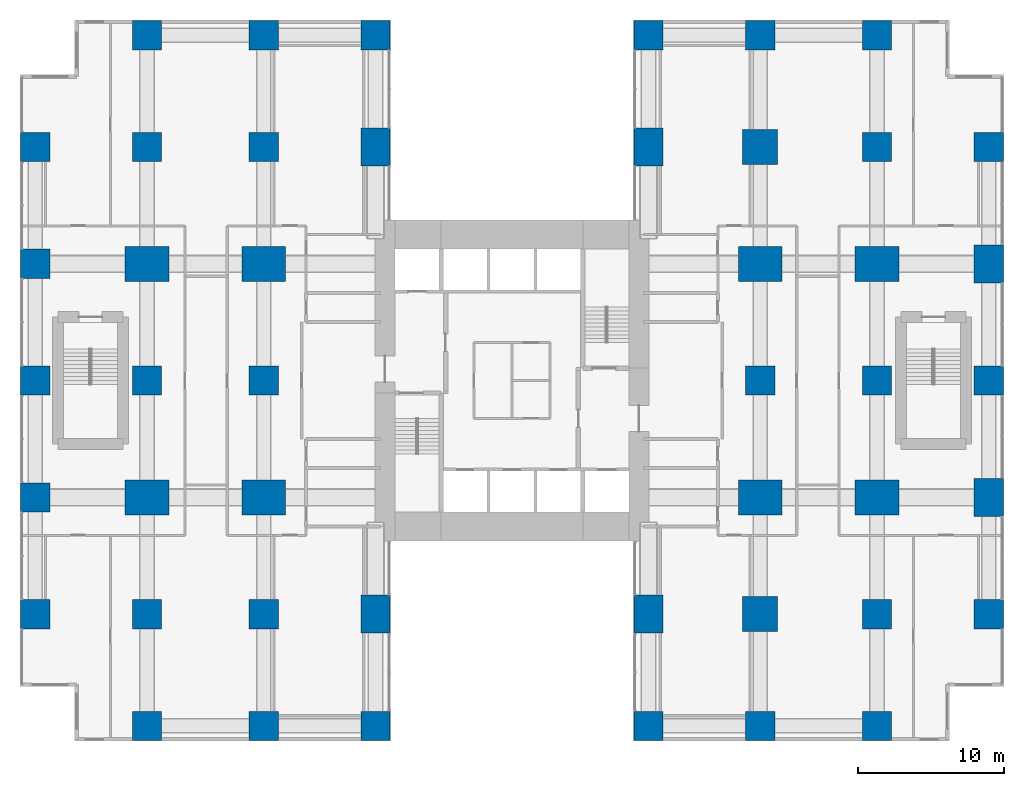
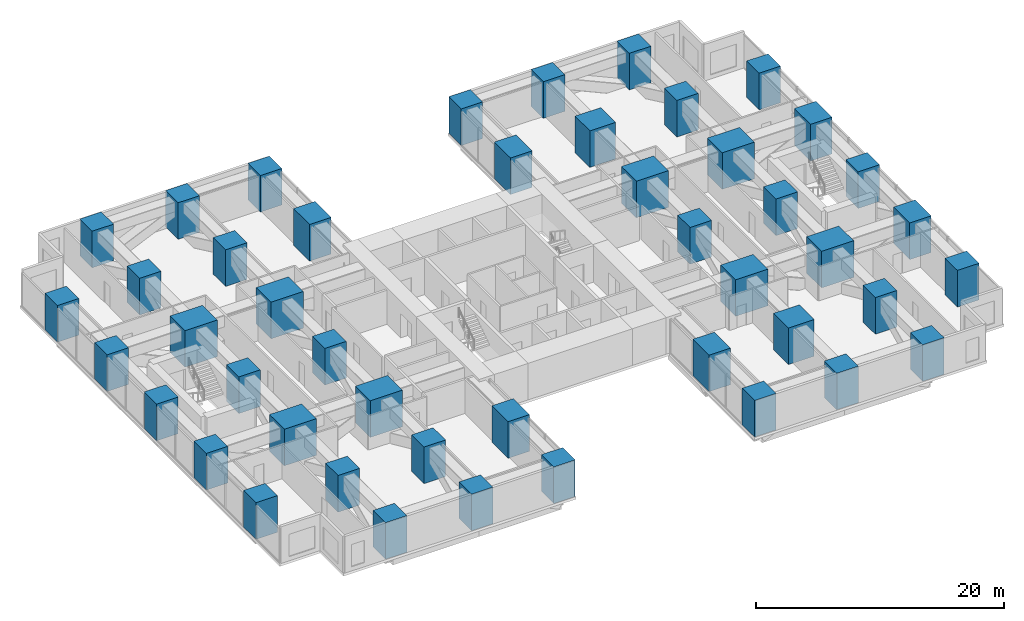
# One storey, part 1 of 15: 46 columns.
"""IFC4 building model written with IfcOpenShell, lengths in metres."""

from ifc_helpers import new_model, si_unit, direction, frame, origin, origin_2d, place, context, subcontext, project, spatial, rectangle, extrude, material, material_profile, profile_set, type_object, element, save


model = new_model("IFC4")

# Units and contexts
model_context = context("Model", 3, precision=1e-05, world=origin(), true_north=direction((0.0, 1.0)))
body_context = subcontext(model_context, "Body", "Model", "MODEL_VIEW")
ifc_project = project(units=[si_unit("LENGTHUNIT", "METRE"), si_unit("AREAUNIT", "SQUARE_METRE"), si_unit("VOLUMEUNIT", "CUBIC_METRE"), si_unit("PLANEANGLEUNIT", "RADIAN"), si_unit("MASSUNIT", "GRAM", prefix="KILO")], contexts=[model_context])

# Site, building, storey
site_placement = place(None, origin())
site = spatial("IfcSite", under=ifc_project, at=site_placement, CompositionType="ELEMENT")
building_placement = place(site_placement, origin())
building = spatial("IfcBuilding", under=site, at=building_placement, Name="Cleftline Residences", CompositionType="ELEMENT")
storey_placement = place(building_placement, frame((0.0, 0.0, 132.199951171875)))
storey = spatial("IfcBuildingStorey", under=building, at=storey_placement, Name="L34", CompositionType="ELEMENT", Elevation=132.199951171875)

# Columns
ifc_material_1 = material(Name="Concrete B70", Category="concrete")
ifc_material_profile_1 = material_profile(ifc_material_1, rectangle(XDim=2.0, YDim=2.0, at=origin_2d()))
ifc_profile_set_1 = profile_set([ifc_material_profile_1], Name="Concrete B70")
column_type_1 = type_object("IfcColumnType", Name="COLUMN RC2000X2000", PredefinedType="COLUMN", material=ifc_profile_set_1)
for number, where, z_axis, x_axis, name in (
    (1, (0.35009765625, 8.0, 0.0), (0.0, 0.0, 1.0), (1.0, 0.0, 0.0), "Column D/3"),
    (2, (0.35009765625, 16.0, 0.0), (0.0, 0.0, 1.0), (1.0, 0.0, 0.0), "Column E/3"),
    (3, (0.35009765625, 24.0, 0.0), (0.0, 0.0, 1.0), (1.0, 0.0, 0.0), "Column F/3"),
    (4, (0.35009765625, 32.0, 0.0), (0.0, 0.0, 1.0), (1.0, 0.0, 0.0), "Column G/3"),
    (5, (0.35009765625, 40.0, 0.0), (0.0, 0.0, 1.0), (1.0, 0.0, 0.0), "Column H/3"),
    (6, (8.0, 0.35009765625, 0.0), (0.0, 0.0, 1.0), (1.0, 0.0, 0.0), "Column C/4"),
    (7, (8.0, 8.0, 0.0), (0.0, 0.0, 1.0), (1.0, 0.0, 0.0), "Column D/4"),
    (8, (8.0, 24.0, 0.0), (0.0, 0.0, 1.0), (1.0, 0.0, 0.0), "Column F/4"),
    (9, (8.0, 40.0, 0.0), (0.0, 0.0, 1.0), (1.0, 0.0, 0.0), "Column H/4"),
    (10, (8.0, 47.64990234375, 0.0), (0.0, 0.0, 1.0), (1.0, 0.0, 0.0), "Column J/4"),
    (11, (16.0, 0.35009765625, 0.0), (0.0, 0.0, 1.0), (1.0, 0.0, 0.0), "Column C/5"),
    (12, (16.0, 8.0, 0.0), (0.0, 0.0, 1.0), (1.0, 0.0, 0.0), "Column D/5"),
    (13, (16.0, 24.0, 0.0), (0.0, 0.0, 1.0), (1.0, 0.0, 0.0), "Column F/5"),
    (14, (16.0, 40.0, 0.0), (0.0, 0.0, 1.0), (1.0, 0.0, 0.0), "Column H/5"),
    (15, (16.0, 47.64990234375, 0.0), (0.0, 0.0, 1.0), (1.0, 0.0, 0.0), "Column J/5"),
    (16, (23.64990234375, 0.35009765625, 0.0), (0.0, 0.0, 1.0), (1.0, 0.0, 0.0), "Column C/6"),
    (17, (23.64990234375, 47.64990234375, 0.0), (0.0, 0.0, 1.0), (1.0, 0.0, 0.0), "Column J/6"),
    (18, (42.35009765625, 0.35009765625, 0.0), (0.0, 0.0, 1.0), (1.0, 0.0, 0.0), "Column C/8"),
    (19, (42.35009765625, 47.64990234375, 0.0), (0.0, 0.0, 1.0), (1.0, 0.0, 0.0), "Column J/8"),
    (20, (50.0, 0.35009765625, 0.0), (0.0, 0.0, 1.0), (1.0, 0.0, 0.0), "Column C/9"),
    (21, (50.0, 24.0, 0.0), (0.0, 0.0, 1.0), (1.0, 0.0, 0.0), "Column F/9"),
    (22, (50.0, 47.64990234375, 0.0), (0.0, 0.0, 1.0), (1.0, 0.0, 0.0), "Column J/9"),
    (23, (58.0, 0.35009765625, 0.0), (0.0, 0.0, 1.0), (1.0, 0.0, 0.0), "Column C/10"),
    (24, (58.0, 8.0, 0.0), (0.0, 0.0, 1.0), (1.0, 0.0, 0.0), "Column D/10"),
    (25, (58.0, 24.0, 0.0), (0.0, 0.0, 1.0), (1.0, 0.0, 0.0), "Column F/10"),
    (26, (58.0, 40.0, 0.0), (0.0, 0.0, 1.0), (1.0, 0.0, 0.0), "Column H/10"),
    (27, (58.0, 47.64990234375, 0.0), (0.0, 0.0, 1.0), (1.0, 0.0, 0.0), "Column J/10"),
    (28, (65.64990234375, 8.0, 0.0), (0.0, 0.0, 1.0), (1.0, 0.0, 0.0), "Column D/11"),
    (29, (65.64990234375, 24.0, 0.0), (0.0, 0.0, 1.0), (1.0, 0.0, 0.0), "Column F/11"),
    (30, (65.64990234375, 40.0, 0.0), (0.0, 0.0, 1.0), (1.0, 0.0, 0.0), "Column H/11"),
):
    element("IfcColumn", number, at=place(storey_placement, frame(where, z_axis=z_axis, x_axis=x_axis)), inside=storey, type_object=column_type_1, Name=name, PredefinedType="COLUMN", context=body_context, shape_type="SweptSolid", body=[
        extrude(rectangle(XDim=2.0, YDim=2.0, at=origin_2d()), origin(), (0.0, 0.0, 1.0), 3.60009765625),
    ])
ifc_material_2 = material(Name="Concrete B70", Category="concrete")
ifc_material_profile_2 = material_profile(ifc_material_2, rectangle(XDim=2.0, YDim=2.60009765625, at=origin_2d()))
ifc_profile_set_2 = profile_set([ifc_material_profile_2], Name="Concrete B70")
column_type_2 = type_object("IfcColumnType", Name="COLUMN RC2000X2600", PredefinedType="COLUMN", material=ifc_profile_set_2)
for number, where, z_axis, x_axis, name in (
    (31, (23.64990234375, 8.0, 0.0), (0.0, 0.0, 1.0), (1.0, 0.0, 0.0), "Column D/6"),
    (32, (23.64990234375, 40.0, 0.0), (0.0, 0.0, 1.0), (1.0, 0.0, 0.0), "Column H/6"),
    (33, (42.35009765625, 8.0, 0.0), (0.0, 0.0, 1.0), (1.0, 0.0, 0.0), "Column D/8"),
    (34, (42.35009765625, 40.0, 0.0), (0.0, 0.0, 1.0), (1.0, 0.0, 0.0), "Column H/8"),
):
    element("IfcColumn", number, at=place(storey_placement, frame(where, z_axis=z_axis, x_axis=x_axis)), inside=storey, type_object=column_type_2, Name=name, PredefinedType="COLUMN", context=body_context, shape_type="SweptSolid", body=[
        extrude(rectangle(XDim=2.0, YDim=2.60009765625, at=origin_2d()), origin(), (0.0, 0.0, 1.0), 3.60009765625),
    ])
ifc_material_3 = material(Name="Concrete B70", Category="concrete")
ifc_material_profile_3 = material_profile(ifc_material_3, rectangle(XDim=2.39990234375, YDim=2.39990234375, at=origin_2d()))
ifc_profile_set_3 = profile_set([ifc_material_profile_3], Name="Concrete B70")
column_type_3 = type_object("IfcColumnType", Name="COLUMN RC2400X2400", PredefinedType="COLUMN", material=ifc_profile_set_3)
for number, where, z_axis, x_axis, name in (
    (35, (50.0, 8.0, 0.0), (0.0, 0.0, 1.0), (1.0, 0.0, 0.0), "Column D/9"),
    (36, (50.0, 40.0, 0.0), (0.0, 0.0, 1.0), (1.0, 0.0, 0.0), "Column H/9"),
):
    element("IfcColumn", number, at=place(storey_placement, frame(where, z_axis=z_axis, x_axis=x_axis)), inside=storey, type_object=column_type_3, Name=name, PredefinedType="COLUMN", context=body_context, shape_type="SweptSolid", body=[
        extrude(rectangle(XDim=2.39990234375, YDim=2.39990234375, at=origin_2d()), origin(), (0.0, 0.0, 1.0), 3.60009765625),
    ])
ifc_material_4 = material(Name="Concrete B70", Category="concrete")
ifc_material_profile_4 = material_profile(ifc_material_4, rectangle(XDim=2.60009765625, YDim=2.0, at=origin_2d()))
ifc_profile_set_4 = profile_set([ifc_material_profile_4], Name="Concrete B70")
column_type_4 = type_object("IfcColumnType", Name="COLUMN RC2600X2000", PredefinedType="COLUMN", material=ifc_profile_set_4)
for number, where, z_axis, x_axis, name in (
    (37, (65.64990234375, 16.0, 0.0), (0.0, 0.0, 1.0), (0.0, 1.0, 0.0), "Column E/11"),
    (38, (65.64990234375, 32.0, 0.0), (0.0, 0.0, 1.0), (0.0, 1.0, 0.0), "Column G/11"),
):
    element("IfcColumn", number, at=place(storey_placement, frame(where, z_axis=z_axis, x_axis=x_axis)), inside=storey, type_object=column_type_4, Name=name, PredefinedType="COLUMN", context=body_context, shape_type="SweptSolid", body=[
        extrude(rectangle(XDim=2.60009765625, YDim=2.0, at=origin_2d()), origin(), (0.0, 0.0, 1.0), 3.60009765625),
    ])
ifc_material_5 = material(Name="Concrete B70", Category="concrete")
ifc_material_profile_5 = material_profile(ifc_material_5, rectangle(XDim=3.0, YDim=2.39990234375, at=origin_2d()))
ifc_profile_set_5 = profile_set([ifc_material_profile_5], Name="Concrete B70")
column_type_5 = type_object("IfcColumnType", Name="COLUMN RC3000X2400", PredefinedType="COLUMN", material=ifc_profile_set_5)
for number, where, z_axis, x_axis, name in (
    (39, (8.0, 16.0, 0.0), (0.0, 0.0, 1.0), (1.0, 0.0, 0.0), "Column E/4"),
    (40, (8.0, 32.0, 0.0), (0.0, 0.0, 1.0), (1.0, 0.0, 0.0), "Column G/4"),
    (41, (16.0, 16.0, 0.0), (0.0, 0.0, 1.0), (1.0, 0.0, 0.0), "Column E/5"),
    (42, (16.0, 32.0, 0.0), (0.0, 0.0, 1.0), (1.0, 0.0, 0.0), "Column G/5"),
    (43, (50.0, 16.0, 0.0), (0.0, 0.0, 1.0), (1.0, 0.0, 0.0), "Column E/9"),
    (44, (50.0, 32.0, 0.0), (0.0, 0.0, 1.0), (1.0, 0.0, 0.0), "Column G/9"),
    (45, (58.0, 16.0, 0.0), (0.0, 0.0, 1.0), (1.0, 0.0, 0.0), "Column E/10"),
    (46, (58.0, 32.0, 0.0), (0.0, 0.0, 1.0), (1.0, 0.0, 0.0), "Column G/10"),
):
    element("IfcColumn", number, at=place(storey_placement, frame(where, z_axis=z_axis, x_axis=x_axis)), inside=storey, type_object=column_type_5, Name=name, PredefinedType="COLUMN", context=body_context, shape_type="SweptSolid", body=[
        extrude(rectangle(XDim=3.0, YDim=2.39990234375, at=origin_2d()), origin(), (0.0, 0.0, 1.0), 3.60009765625),
    ])

save(model, "model.ifc")
